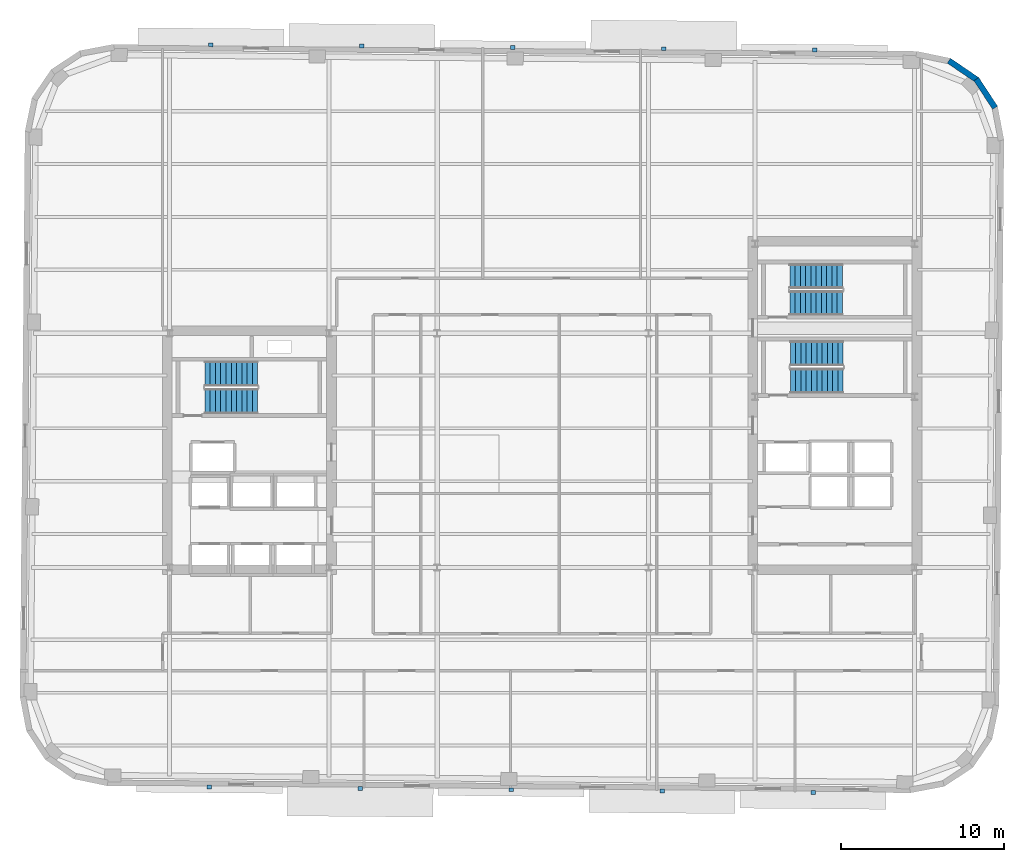
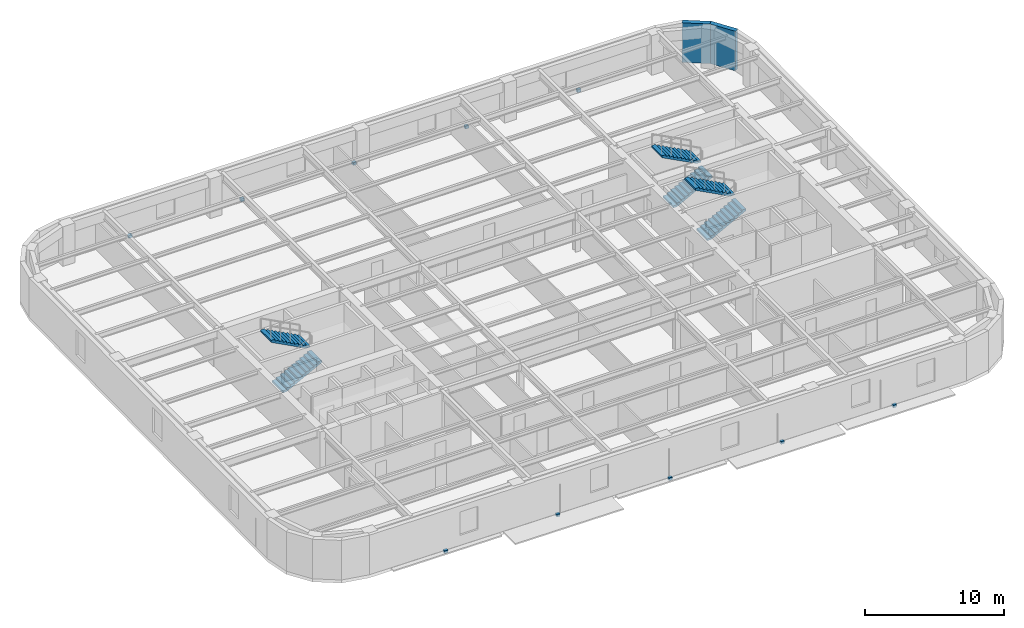
# One storey, part 7 of 11: 10 discrete accessories, 6 stair flights, 2 walls, 3 elements without a shape of their own.
"""IFC4 building model written with IfcOpenShell, lengths in metres."""

from ifc_helpers import new_model, si_unit, direction, frame, frame_2d, origin, origin_2d, place, context, subcontext, project, spatial, polyline, rectangle, outline, extrude, material, layer, layer_set, type_object, element, aggregate, save


model = new_model("IFC4")

# Units and contexts
model_context = context("Model", 3, precision=1e-05, world=origin(), true_north=direction((0.0, 1.0)))
body_context = subcontext(model_context, "Body", "Model", "MODEL_VIEW")
ifc_project = project(units=[si_unit("LENGTHUNIT", "METRE"), si_unit("AREAUNIT", "SQUARE_METRE"), si_unit("VOLUMEUNIT", "CUBIC_METRE"), si_unit("PLANEANGLEUNIT", "RADIAN"), si_unit("MASSUNIT", "GRAM", prefix="KILO")], contexts=[model_context])

# Site, building, storey
site_placement = place(None, origin())
site = spatial("IfcSite", under=ifc_project, at=site_placement, CompositionType="ELEMENT")
building_placement = place(site_placement, origin())
building = spatial("IfcBuilding", under=site, at=building_placement, Name="Kolvaren Arena Tower", CompositionType="ELEMENT")
storey_placement = place(building_placement, frame((0.0, 0.0, 173.449951171875)))
storey = spatial("IfcBuildingStorey", under=building, at=storey_placement, Name="L41", CompositionType="ELEMENT", Elevation=173.449951171875)

# Walls
ifc_material_1 = material(Name="Precast concrete C50/60", Category="concrete")
ifc_layer = layer(ifc_material_1, 0.360107421875)
ifc_layer_set = layer_set([ifc_layer], Name="Precast concrete C50/60")
wall_type = type_object("IfcWallType", Name="EXT-PIER2", PredefinedType="SOLIDWALL", material=ifc_layer_set)
wall_1_placement = place(storey_placement, frame((64.152099609375, 49.469970703125, 0.0), z_axis=(0.0, 0.0, 1.0), x_axis=(0.548238722478, -0.83632188969, 0.0)))
element("IfcWall", 1, at=wall_1_placement, inside=storey, type_object=wall_type, Name="Exterior Precast Masonry-Frame Wall (L41)", PredefinedType="SOLIDWALL", context=body_context, shape_type="SweptSolid", body=[
    extrude(rectangle(XDim=2.106689453125, YDim=0.360107421875, at=frame_2d((1.05322265625, 0.0))), origin(), (0.0, 0.0, 1.0), 3.47998046875),
])
wall_2_placement = place(storey_placement, frame((62.45947265625, 50.605712890625, 0.0), z_axis=(0.0, 0.0, 1.0), x_axis=(0.826609569219, -0.56277581689, 0.0)))
element("IfcWall", 2, at=wall_2_placement, inside=storey, type_object=wall_type, Name="Exterior Precast Masonry-Frame Wall (L41)", PredefinedType="SOLIDWALL", context=body_context, shape_type="SweptSolid", body=[
    extrude(rectangle(XDim=2.10693359375, YDim=0.360107421875, at=frame_2d((1.053466796875, 0.0))), origin(), (0.0, 0.0, 1.0), 3.47998046875),
])

# Stair, stair flights
ifc_material_2 = material(Name="Concrete 45 MPa", Category="concrete")
stair_type_1 = type_object("IfcStairType", Name="STAIR-CORE-150", PredefinedType="HALF_TURN_STAIR", material=ifc_material_2)
stair_1_placement = place(storey_placement, origin())
stair_1 = element("IfcStair", 3, at=stair_1_placement, inside=storey, type_object=stair_type_1, Name="L41 ST-E2", PredefinedType="HALF_TURN_STAIR")
stair_flight_type_1 = type_object("IfcStairFlightType", Name="FLT-150", PredefinedType="STRAIGHT", material=ifc_material_2)
stair_flight_1_placement = place(storey_placement, frame((52.679931640625, 35.699951171875, 0.0), z_axis=(0.0, 0.0, 1.0), x_axis=(1.0, 0.0, 0.0)))
stair_flight_1 = element("IfcStairFlight", 4, at=stair_flight_1_placement, type_object=stair_flight_type_1, Name="ST-E2 flight 1", NumberOfRisers=11, NumberOfTreads=10, PredefinedType="STRAIGHT", RiserHeight=0.170454545, TreadLength=0.324, context=body_context, shape_type="SweptSolid", body=[
    extrude(outline(polyline([(0.0, 0.0), (0.0, 0.17041015625), (0.323974609375, 0.17041015625), (0.323974609375, 0.3408203125), (0.64794921875, 0.3408203125), (0.64794921875, 0.511474609375), (0.971923828125, 0.511474609375), (0.971923828125, 0.681884765625), (1.2958984375, 0.681884765625), (1.2958984375, 0.852294921875), (1.6201171875, 0.852294921875), (1.6201171875, 1.022705078125), (1.944091796875, 1.022705078125), (1.944091796875, 1.193115234375), (2.26806640625, 1.193115234375), (2.26806640625, 1.363525390625), (2.592041015625, 1.363525390625), (2.592041015625, 1.5341796875), (2.916015625, 1.5341796875), (2.916015625, 1.70458984375), (3.239990234375, 1.70458984375), (3.239990234375, 1.875), (3.239990234375, 1.53515625), (0.322021484375, 0.0), (0.0, 0.0)])), frame((0.0, 0.75, 0.0), z_axis=(0.0, -1.0, 0.0), x_axis=(1.0, 0.0, 0.0)), (0.0, 0.0, 1.0), 1.5),
])
stair_flight_2_placement = place(storey_placement, frame((55.919921875, 37.35009765625, 1.875), z_axis=(0.0, 0.0, 1.0), x_axis=(-1.0, 0.0, 0.0)))
stair_flight_2 = element("IfcStairFlight", 5, at=stair_flight_2_placement, type_object=stair_flight_type_1, Name="ST-E2 flight 2", NumberOfRisers=11, NumberOfTreads=10, PredefinedType="STRAIGHT", RiserHeight=0.170454545, TreadLength=0.324, context=body_context, shape_type="SweptSolid", body=[
    extrude(outline(polyline([(0.0, 0.0), (0.0, 0.17041015625), (0.323974609375, 0.17041015625), (0.323974609375, 0.3408203125), (0.64794921875, 0.3408203125), (0.64794921875, 0.511474609375), (0.971923828125, 0.511474609375), (0.971923828125, 0.681884765625), (1.2958984375, 0.681884765625), (1.2958984375, 0.852294921875), (1.6201171875, 0.852294921875), (1.6201171875, 1.022705078125), (1.944091796875, 1.022705078125), (1.944091796875, 1.193115234375), (2.26806640625, 1.193115234375), (2.26806640625, 1.363525390625), (2.592041015625, 1.363525390625), (2.592041015625, 1.5341796875), (2.916015625, 1.5341796875), (2.916015625, 1.70458984375), (3.239990234375, 1.70458984375), (3.239990234375, 1.875), (3.239990234375, 1.53515625), (0.322021484375, 0.0), (0.0, 0.0)])), frame((0.0, 0.75, 0.0), z_axis=(0.0, -1.0, 0.0), x_axis=(1.0, 0.0, 0.0)), (0.0, 0.0, 1.0), 1.5),
])
aggregate(stair_1, [stair_flight_1, stair_flight_2])

stair_type_2 = type_object("IfcStairType", Name="STAIR-CORE-165", PredefinedType="HALF_TURN_STAIR", material=ifc_material_2)
stair_2_placement = place(storey_placement, origin())
stair_2 = element("IfcStair", 6, at=stair_2_placement, inside=storey, type_object=stair_type_2, Name="L41 ST-W1", PredefinedType="HALF_TURN_STAIR")
stair_flight_type_2 = type_object("IfcStairFlightType", Name="FLT-165", PredefinedType="STRAIGHT", material=ifc_material_2)
stair_flight_3_placement = place(storey_placement, frame((16.719970703125, 29.669921875, 0.0), z_axis=(0.0, 0.0, 1.0), x_axis=(1.0, 0.0, 0.0)))
stair_flight_3 = element("IfcStairFlight", 7, at=stair_flight_3_placement, type_object=stair_flight_type_2, Name="ST-W1 flight 1", NumberOfRisers=11, NumberOfTreads=10, PredefinedType="STRAIGHT", RiserHeight=0.170454545, TreadLength=0.324, context=body_context, shape_type="SweptSolid", body=[
    extrude(outline(polyline([(0.0, 0.0), (0.0, 0.17041015625), (0.323974609375, 0.17041015625), (0.323974609375, 0.3408203125), (0.64794921875, 0.3408203125), (0.64794921875, 0.511474609375), (0.971923828125, 0.511474609375), (0.971923828125, 0.681884765625), (1.2958984375, 0.681884765625), (1.2958984375, 0.852294921875), (1.6201171875, 0.852294921875), (1.6201171875, 1.022705078125), (1.944091796875, 1.022705078125), (1.944091796875, 1.193115234375), (2.26806640625, 1.193115234375), (2.26806640625, 1.363525390625), (2.592041015625, 1.363525390625), (2.592041015625, 1.5341796875), (2.916015625, 1.5341796875), (2.916015625, 1.70458984375), (3.239990234375, 1.70458984375), (3.239990234375, 1.875), (3.239990234375, 1.53515625), (0.322021484375, 0.0), (0.0, 0.0)])), frame((0.0, 0.77001953125, 0.0), z_axis=(0.0, -1.0, 0.0), x_axis=(1.0, 0.0, 0.0)), (0.0, 0.0, 1.0), 1.5400390625),
])
stair_flight_4_placement = place(storey_placement, frame((19.9599609375, 31.360107421875, 1.875), z_axis=(0.0, 0.0, 1.0), x_axis=(-1.0, 0.0, 0.0)))
stair_flight_4 = element("IfcStairFlight", 8, at=stair_flight_4_placement, type_object=stair_flight_type_2, Name="ST-W1 flight 2", NumberOfRisers=11, NumberOfTreads=10, PredefinedType="STRAIGHT", RiserHeight=0.170454545, TreadLength=0.324, context=body_context, shape_type="SweptSolid", body=[
    extrude(outline(polyline([(0.0, 0.0), (0.0, 0.17041015625), (0.323974609375, 0.17041015625), (0.323974609375, 0.3408203125), (0.64794921875, 0.3408203125), (0.64794921875, 0.511474609375), (0.971923828125, 0.511474609375), (0.971923828125, 0.681884765625), (1.2958984375, 0.681884765625), (1.2958984375, 0.852294921875), (1.6201171875, 0.852294921875), (1.6201171875, 1.022705078125), (1.944091796875, 1.022705078125), (1.944091796875, 1.193115234375), (2.26806640625, 1.193115234375), (2.26806640625, 1.363525390625), (2.592041015625, 1.363525390625), (2.592041015625, 1.5341796875), (2.916015625, 1.5341796875), (2.916015625, 1.70458984375), (3.239990234375, 1.70458984375), (3.239990234375, 1.875), (3.239990234375, 1.53515625), (0.322021484375, 0.0), (0.0, 0.0)])), frame((0.0, 0.77001953125, 0.0), z_axis=(0.0, -1.0, 0.0), x_axis=(1.0, 0.0, 0.0)), (0.0, 0.0, 1.0), 1.5400390625),
])
aggregate(stair_2, [stair_flight_3, stair_flight_4])

stair_3_placement = place(storey_placement, origin())
stair_3 = element("IfcStair", 9, at=stair_3_placement, inside=storey, type_object=stair_type_2, Name="L41 ST-E1", PredefinedType="HALF_TURN_STAIR")
stair_flight_5_placement = place(storey_placement, frame((52.719970703125, 30.919921875, 0.0), z_axis=(0.0, 0.0, 1.0), x_axis=(1.0, 0.0, 0.0)))
stair_flight_5 = element("IfcStairFlight", 10, at=stair_flight_5_placement, type_object=stair_flight_type_2, Name="ST-E1 flight 1", NumberOfRisers=11, NumberOfTreads=10, PredefinedType="STRAIGHT", RiserHeight=0.170454545, TreadLength=0.324, context=body_context, shape_type="SweptSolid", body=[
    extrude(outline(polyline([(0.0, 0.0), (0.0, 0.17041015625), (0.323974609375, 0.17041015625), (0.323974609375, 0.3408203125), (0.64794921875, 0.3408203125), (0.64794921875, 0.511474609375), (0.971923828125, 0.511474609375), (0.971923828125, 0.681884765625), (1.2958984375, 0.681884765625), (1.2958984375, 0.852294921875), (1.6201171875, 0.852294921875), (1.6201171875, 1.022705078125), (1.944091796875, 1.022705078125), (1.944091796875, 1.193115234375), (2.26806640625, 1.193115234375), (2.26806640625, 1.363525390625), (2.592041015625, 1.363525390625), (2.592041015625, 1.5341796875), (2.916015625, 1.5341796875), (2.916015625, 1.70458984375), (3.239990234375, 1.70458984375), (3.239990234375, 1.875), (3.239990234375, 1.53515625), (0.322021484375, 0.0), (0.0, 0.0)])), frame((0.0, 0.77001953125, 0.0), z_axis=(0.0, -1.0, 0.0), x_axis=(1.0, 0.0, 0.0)), (0.0, 0.0, 1.0), 1.5400390625),
])
stair_flight_6_placement = place(storey_placement, frame((55.9599609375, 32.610107421875, 1.875), z_axis=(0.0, 0.0, 1.0), x_axis=(-1.0, 0.0, 0.0)))
stair_flight_6 = element("IfcStairFlight", 11, at=stair_flight_6_placement, type_object=stair_flight_type_2, Name="ST-E1 flight 2", NumberOfRisers=11, NumberOfTreads=10, PredefinedType="STRAIGHT", RiserHeight=0.170454545, TreadLength=0.324, context=body_context, shape_type="SweptSolid", body=[
    extrude(outline(polyline([(0.0, 0.0), (0.0, 0.17041015625), (0.323974609375, 0.17041015625), (0.323974609375, 0.3408203125), (0.64794921875, 0.3408203125), (0.64794921875, 0.511474609375), (0.971923828125, 0.511474609375), (0.971923828125, 0.681884765625), (1.2958984375, 0.681884765625), (1.2958984375, 0.852294921875), (1.6201171875, 0.852294921875), (1.6201171875, 1.022705078125), (1.944091796875, 1.022705078125), (1.944091796875, 1.193115234375), (2.26806640625, 1.193115234375), (2.26806640625, 1.363525390625), (2.592041015625, 1.363525390625), (2.592041015625, 1.5341796875), (2.916015625, 1.5341796875), (2.916015625, 1.70458984375), (3.239990234375, 1.70458984375), (3.239990234375, 1.875), (3.239990234375, 1.53515625), (0.322021484375, 0.0), (0.0, 0.0)])), frame((0.0, 0.77001953125, 0.0), z_axis=(0.0, -1.0, 0.0), x_axis=(1.0, 0.0, 0.0)), (0.0, 0.0, 1.0), 1.5400390625),
])
aggregate(stair_3, [stair_flight_5, stair_flight_6])

# Discrete accessories
ifc_material_3 = material(Name="Stainless steel facade support bracket", Category="steel")
discrete_accessory_type = type_object("IfcDiscreteAccessoryType", Name="ACC-BRKT-1", PredefinedType="BRACKET", material=ifc_material_3)
for number, where, z_axis, x_axis, name in (
    (12, (17.08984375, 51.58251953125, -0.18017578125), (0.0, 0.0, 1.0), (0.999961923064, -0.008726535498, 0.0), "Sunshade Support Bracket (L41)"),
    (13, (26.369384765625, 51.50146484375, -0.18017578125), (0.0, 0.0, 1.0), (0.999961923064, -0.008726535498, 0.0), "Sunshade Support Bracket (L41)"),
    (14, (35.649169921875, 51.42041015625, -0.18017578125), (0.0, 0.0, 1.0), (0.999961923064, -0.008726535498, 0.0), "Sunshade Support Bracket (L41)"),
    (15, (44.9287109375, 51.339599609375, -0.18017578125), (0.0, 0.0, 1.0), (0.999961923064, -0.008726535498, 0.0), "Sunshade Support Bracket (L41)"),
    (16, (54.20849609375, 51.258544921875, -0.18017578125), (0.0, 0.0, 1.0), (0.999961923064, -0.008726535498, 0.0), "Sunshade Support Bracket (L41)"),
    (17, (54.110107421875, 5.61767578125, -0.18017578125), (0.0, 0.0, 1.0), (-0.999961923064, 0.008726535498, 0.0), "Sunshade Support Bracket (L41)"),
    (18, (44.83056640625, 5.698486328125, -0.18017578125), (0.0, 0.0, 1.0), (-0.999961923064, 0.008726535498, 0.0), "Sunshade Support Bracket (L41)"),
    (19, (35.55078125, 5.779541015625, -0.18017578125), (0.0, 0.0, 1.0), (-0.999961923064, 0.008726535498, 0.0), "Sunshade Support Bracket (L41)"),
    (20, (26.271240234375, 5.860595703125, -0.18017578125), (0.0, 0.0, 1.0), (-0.999961923064, 0.008726535498, 0.0), "Sunshade Support Bracket (L41)"),
    (21, (16.99169921875, 5.94140625, -0.18017578125), (0.0, 0.0, 1.0), (-0.999961923064, 0.008726535498, 0.0), "Sunshade Support Bracket (L41)"),
):
    element("IfcDiscreteAccessory", number, at=place(storey_placement, frame(where, z_axis=z_axis, x_axis=x_axis)), inside=storey, type_object=discrete_accessory_type, Name=name, PredefinedType="BRACKET", context=body_context, shape_type="SweptSolid", body=[
        extrude(rectangle(XDim=0.280029296875, YDim=0.239990234375, at=origin_2d()), origin(), (0.0, 0.0, 1.0), 0.239990234375),
    ])

save(model, "model.ifc")
